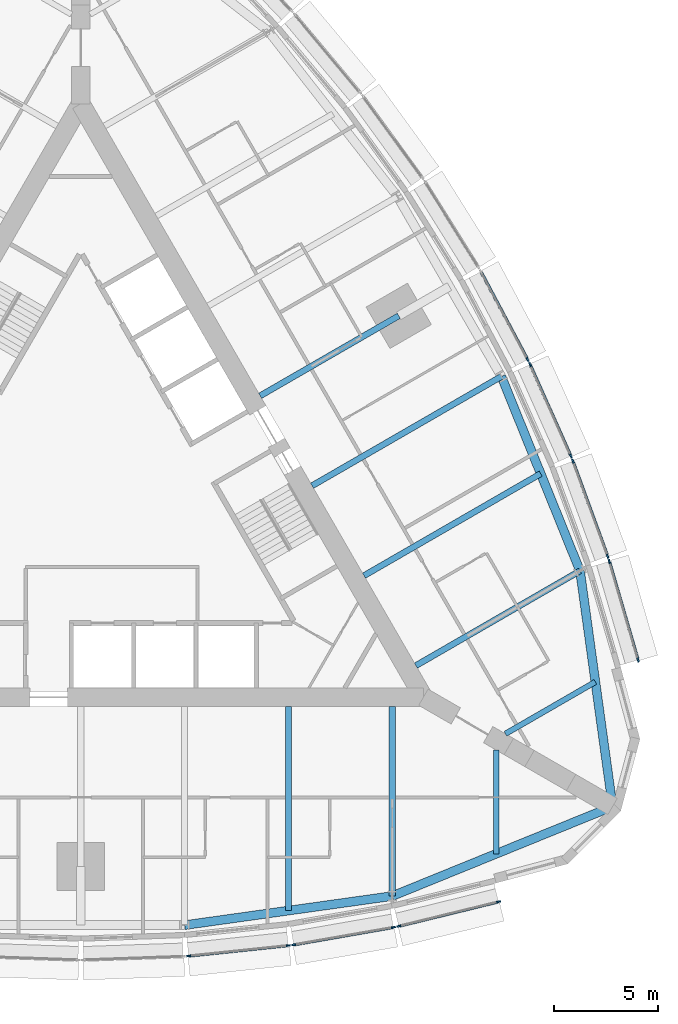
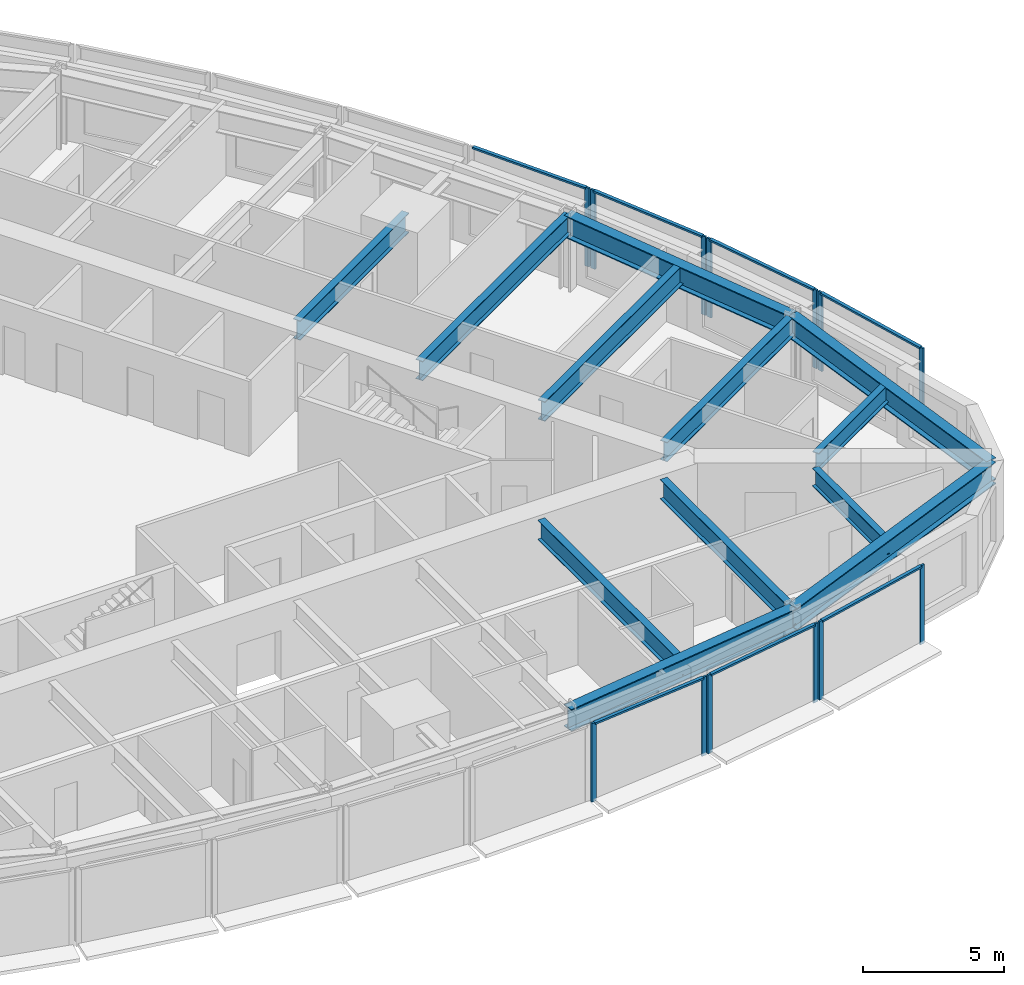
# One storey, part 3 of 14: 20 members, 12 beams, 7 elements without a shape of their own.
"""IFC4 building model written with IfcOpenShell, lengths in metres."""

from ifc_helpers import new_model, si_unit, direction, frame, origin, origin_2d, place, context, subcontext, project, spatial, rectangle, i_section, extrude, material, material_profile, profile_set, type_object, element, aggregate, save


model = new_model("IFC4")

# Units and contexts
model_context = context("Model", 3, precision=1e-05, world=origin(), true_north=direction((0.0, 1.0)))
body_context = subcontext(model_context, "Body", "Model", "MODEL_VIEW")
ifc_project = project(units=[si_unit("LENGTHUNIT", "METRE"), si_unit("AREAUNIT", "SQUARE_METRE"), si_unit("VOLUMEUNIT", "CUBIC_METRE"), si_unit("PLANEANGLEUNIT", "RADIAN"), si_unit("MASSUNIT", "GRAM", prefix="KILO")], contexts=[model_context])

# Site, building, storey
site_placement = place(None, origin())
site = spatial("IfcSite", under=ifc_project, at=site_placement, CompositionType="ELEMENT")
building_placement = place(site_placement, origin())
building = spatial("IfcBuilding", under=site, at=building_placement, Name="Trikona Tower", CompositionType="ELEMENT")
storey_placement = place(building_placement, frame((0.0, 0.0, 172.5)))
storey = spatial("IfcBuildingStorey", under=building, at=storey_placement, Name="L46", CompositionType="ELEMENT", Elevation=172.5)

# Curtain wall, members
ifc_material_1 = material(Name="Aluminium curtain wall system", Category="aluminium")
curtain_wall_type = type_object("IfcCurtainWallType", Name="Curtain wall DS2", PredefinedType="NOTDEFINED", material=ifc_material_1)
curtain_wall_1_placement = place(storey_placement, origin())
curtain_wall_1 = element("IfcCurtainWall", 1, at=curtain_wall_1_placement, inside=storey, type_object=curtain_wall_type, Name="Curtain wall DS2 L46", PredefinedType="NOTDEFINED")
ifc_material_2 = material(Name="Aluminium mullion, pale anodised", Category="aluminium")
ifc_material_profile_1 = material_profile(ifc_material_2, rectangle(XDim=0.080078125, YDim=0.199951171875, at=origin_2d()), Name="MUL-DS2")
ifc_profile_set_1 = profile_set([ifc_material_profile_1], Name="Aluminium mullion, pale anodised")
member_type_1 = type_object("IfcMemberType", Name="Mullion DS2 80x200", PredefinedType="MULLION", material=ifc_profile_set_1)
member_1_placement = place(storey_placement, frame((5.193359375, -21.98486328125, 0.0), z_axis=(0.0, 0.0, 1.0), x_axis=(-0.104433387357, 0.994531883654, 0.0)))
member_1 = element("IfcMember", 2, at=member_1_placement, type_object=member_type_1, Name="CW-DS2 mullion 1", PredefinedType="MULLION", context=body_context, shape_type="SweptSolid", body=[
    extrude(rectangle(XDim=0.080078125, YDim=0.199951171875, at=origin_2d()), origin(), (0.0, 0.0, 1.0), 3.39990234375),
])
member_2_placement = place(storey_placement, frame((9.99462890625, -21.480712890625, 0.0), z_axis=(0.0, 0.0, 1.0), x_axis=(-0.104433387357, 0.994531883654, 0.0)))
member_2 = element("IfcMember", 3, at=member_2_placement, type_object=member_type_1, Name="CW-DS2 mullion 2", PredefinedType="MULLION", context=body_context, shape_type="SweptSolid", body=[
    extrude(rectangle(XDim=0.080078125, YDim=0.199951171875, at=origin_2d()), origin(), (0.0, 0.0, 1.0), 3.39990234375),
])

curtain_wall_2_placement = place(storey_placement, origin())
curtain_wall_2 = element("IfcCurtainWall", 4, at=curtain_wall_2_placement, inside=storey, type_object=curtain_wall_type, Name="Curtain wall DS2 L46", PredefinedType="NOTDEFINED")
member_3_placement = place(storey_placement, frame((10.253662109375, -21.444580078125, 0.0), z_axis=(0.0, 0.0, 1.0), x_axis=(-0.17237739505, 0.985030981074, 0.0)))
member_3 = element("IfcMember", 5, at=member_3_placement, type_object=member_type_1, Name="CW-DS2 mullion 1", PredefinedType="MULLION", context=body_context, shape_type="SweptSolid", body=[
    extrude(rectangle(XDim=0.080078125, YDim=0.199951171875, at=origin_2d()), origin(), (0.0, 0.0, 1.0), 3.39990234375),
])
member_4_placement = place(storey_placement, frame((15.056640625, -20.60400390625, 0.0), z_axis=(0.0, 0.0, 1.0), x_axis=(-0.17237739505, 0.985030981074, 0.0)))
member_4 = element("IfcMember", 6, at=member_4_placement, type_object=member_type_1, Name="CW-DS2 mullion 2", PredefinedType="MULLION", context=body_context, shape_type="SweptSolid", body=[
    extrude(rectangle(XDim=0.080078125, YDim=0.199951171875, at=origin_2d()), origin(), (0.0, 0.0, 1.0), 3.39990234375),
])

curtain_wall_3_placement = place(storey_placement, origin())
curtain_wall_3 = element("IfcCurtainWall", 7, at=curtain_wall_3_placement, inside=storey, type_object=curtain_wall_type, Name="Curtain wall DS2 L46", PredefinedType="NOTDEFINED")
member_5_placement = place(storey_placement, frame((15.311279296875, -20.550537109375, 0.0), z_axis=(0.0, 0.0, 1.0), x_axis=(-0.237970204243, 0.971272455026, 0.0)))
member_5 = element("IfcMember", 8, at=member_5_placement, type_object=member_type_1, Name="CW-DS2 mullion 1", PredefinedType="MULLION", context=body_context, shape_type="SweptSolid", body=[
    extrude(rectangle(XDim=0.080078125, YDim=0.199951171875, at=origin_2d()), origin(), (0.0, 0.0, 1.0), 3.39990234375),
])
member_6_placement = place(storey_placement, frame((20.116943359375, -19.373046875, 0.0), z_axis=(0.0, 0.0, 1.0), x_axis=(-0.237970204243, 0.971272455026, 0.0)))
member_6 = element("IfcMember", 9, at=member_6_placement, type_object=member_type_1, Name="CW-DS2 mullion 2", PredefinedType="MULLION", context=body_context, shape_type="SweptSolid", body=[
    extrude(rectangle(XDim=0.080078125, YDim=0.199951171875, at=origin_2d()), origin(), (0.0, 0.0, 1.0), 3.39990234375),
])

curtain_wall_4_placement = place(storey_placement, origin())
curtain_wall_4 = element("IfcCurtainWall", 10, at=curtain_wall_4_placement, inside=storey, type_object=curtain_wall_type, Name="Curtain wall DS2 L46", PredefinedType="NOTDEFINED")
member_7_placement = place(storey_placement, frame((26.836181640625, -7.7353515625, 0.0), z_axis=(0.0, 0.0, 1.0), x_axis=(-0.96013310152, -0.279543247757, 0.0)))
member_7 = element("IfcMember", 11, at=member_7_placement, type_object=member_type_1, Name="CW-DS2 mullion 1", PredefinedType="MULLION", context=body_context, shape_type="SweptSolid", body=[
    extrude(rectangle(XDim=0.080078125, YDim=0.199951171875, at=origin_2d()), origin(), (0.0, 0.0, 1.0), 3.39990234375),
])
member_8_placement = place(storey_placement, frame((25.452880859375, -2.984619140625, 0.0), z_axis=(0.0, 0.0, 1.0), x_axis=(-0.96013310152, -0.279543247757, 0.0)))
member_8 = element("IfcMember", 12, at=member_8_placement, type_object=member_type_1, Name="CW-DS2 mullion 2", PredefinedType="MULLION", context=body_context, shape_type="SweptSolid", body=[
    extrude(rectangle(XDim=0.080078125, YDim=0.199951171875, at=origin_2d()), origin(), (0.0, 0.0, 1.0), 3.39990234375),
])

curtain_wall_5_placement = place(storey_placement, origin())
curtain_wall_5 = element("IfcCurtainWall", 13, at=curtain_wall_5_placement, inside=storey, type_object=curtain_wall_type, Name="Curtain wall DS2 L46", PredefinedType="NOTDEFINED")
member_9_placement = place(storey_placement, frame((25.371826171875, -2.737548828125, 0.0), z_axis=(0.0, 0.0, 1.0), x_axis=(-0.939253790978, -0.343223420143, 0.0)))
member_9 = element("IfcMember", 14, at=member_9_placement, type_object=member_type_1, Name="CW-DS2 mullion 1", PredefinedType="MULLION", context=body_context, shape_type="SweptSolid", body=[
    extrude(rectangle(XDim=0.080078125, YDim=0.199951171875, at=origin_2d()), origin(), (0.0, 0.0, 1.0), 3.39990234375),
])
member_10_placement = place(storey_placement, frame((23.6982421875, 1.84228515625, 0.0), z_axis=(0.0, 0.0, 1.0), x_axis=(-0.939253790978, -0.343223420143, 0.0)))
member_10 = element("IfcMember", 15, at=member_10_placement, type_object=member_type_1, Name="CW-DS2 mullion 2", PredefinedType="MULLION", context=body_context, shape_type="SweptSolid", body=[
    extrude(rectangle(XDim=0.080078125, YDim=0.199951171875, at=origin_2d()), origin(), (0.0, 0.0, 1.0), 3.39990234375),
])

curtain_wall_6_placement = place(storey_placement, origin())
curtain_wall_6 = element("IfcCurtainWall", 16, at=curtain_wall_6_placement, inside=storey, type_object=curtain_wall_type, Name="Curtain wall DS2 L46", PredefinedType="NOTDEFINED")
member_11_placement = place(storey_placement, frame((23.60009765625, 2.0849609375, 0.0), z_axis=(0.0, 0.0, 1.0), x_axis=(-0.913501208767, -0.406836013132, 0.0)))
member_11 = element("IfcMember", 17, at=member_11_placement, type_object=member_type_1, Name="CW-DS2 mullion 1", PredefinedType="MULLION", context=body_context, shape_type="SweptSolid", body=[
    extrude(rectangle(XDim=0.080078125, YDim=0.199951171875, at=origin_2d()), origin(), (0.0, 0.0, 1.0), 3.39990234375),
])
member_12_placement = place(storey_placement, frame((21.63623046875, 6.494873046875, 0.0), z_axis=(0.0, 0.0, 1.0), x_axis=(-0.913501208767, -0.406836013132, 0.0)))
member_12 = element("IfcMember", 18, at=member_12_placement, type_object=member_type_1, Name="CW-DS2 mullion 2", PredefinedType="MULLION", context=body_context, shape_type="SweptSolid", body=[
    extrude(rectangle(XDim=0.080078125, YDim=0.199951171875, at=origin_2d()), origin(), (0.0, 0.0, 1.0), 3.39990234375),
])

# Curtain wall, member
curtain_wall_7_placement = place(storey_placement, origin())
curtain_wall_7 = element("IfcCurtainWall", 19, at=curtain_wall_7_placement, inside=storey, type_object=curtain_wall_type, Name="Curtain wall DS2 L46", PredefinedType="NOTDEFINED")
member_13_placement = place(storey_placement, frame((21.52099609375, 6.730712890625, 0.0), z_axis=(0.0, 0.0, 1.0), x_axis=(-0.882996107343, -0.469380308937, 0.0)))
member_13 = element("IfcMember", 20, at=member_13_placement, type_object=member_type_1, Name="CW-DS2 mullion 1", PredefinedType="MULLION", context=body_context, shape_type="SweptSolid", body=[
    extrude(rectangle(XDim=0.080078125, YDim=0.199951171875, at=origin_2d()), origin(), (0.0, 0.0, 1.0), 3.39990234375),
])

# Beams
ifc_material_3 = material(Name="Steel ASTM A992 Grade 50", Category="steel")
ifc_material_profile_2 = material_profile(ifc_material_3, i_section(OverallWidth=0.2666015625, OverallDepth=0.76953125, WebThickness=0.015625, FlangeThickness=0.025390625, at=origin_2d()), Name="W30X132")
ifc_profile_set_2 = profile_set([ifc_material_profile_2], Name="Steel ASTM A992 Grade 50")
beam_type_1 = type_object("IfcBeamType", Name="Steel beam W30x132 (wedge)", PredefinedType="BEAM", material=ifc_profile_set_2)
beam_1_placement = place(storey_placement, frame((20.0, -12.066650390625, 2.85009765625), z_axis=(0.0, -1.0, 0.0), x_axis=(1.0, 0.0, 0.0)))
element("IfcBeam", 21, at=beam_1_placement, inside=storey, type_object=beam_type_1, Name="Floor beam L47 F1 u20", PredefinedType="BEAM", context=body_context, shape_type="SweptSolid", body=[
    extrude(i_section(OverallWidth=0.2666015625, OverallDepth=0.76953125, WebThickness=0.015625, FlangeThickness=0.025390625, at=origin_2d()), origin(), (0.0, 0.0, 1.0), 5.00048828125),
])
beam_2_placement = place(storey_placement, frame((20.449951171875, -11.287109375, 2.85009765625), z_axis=(0.866038434829, 0.49997742889, 0.0), x_axis=(-0.49997742889, 0.866038434829, 0.0)))
element("IfcBeam", 22, at=beam_2_placement, inside=storey, type_object=beam_type_1, Name="Floor beam L47 F2 u-20", PredefinedType="BEAM", context=body_context, shape_type="SweptSolid", body=[
    extrude(i_section(OverallWidth=0.2666015625, OverallDepth=0.76953125, WebThickness=0.015625, FlangeThickness=0.025390625, at=origin_2d()), origin(), (0.0, 0.0, 1.0), 5.000732421875),
])
ifc_material_4 = material(Name="Steel ASTM A992 Grade 50", Category="steel")
ifc_material_profile_3 = material_profile(ifc_material_4, i_section(OverallWidth=0.2919921875, OverallDepth=0.845703125, WebThickness=0.015380859375, FlangeThickness=0.0244140625, at=origin_2d()), Name="W33X141")
ifc_profile_set_3 = profile_set([ifc_material_profile_3], Name="Steel ASTM A992 Grade 50")
beam_type_2 = type_object("IfcBeamType", Name="Steel beam W33x141 (radial typ)", PredefinedType="BEAM", material=ifc_profile_set_3)
beam_3_placement = place(storey_placement, frame((10.0, -9.976318359375, 2.81201171875), z_axis=(0.0, -1.0, 0.0), x_axis=(1.0, 0.0, 0.0)))
element("IfcBeam", 23, at=beam_3_placement, inside=storey, type_object=beam_type_2, Name="Floor beam L47 F1 u10", PredefinedType="BEAM", context=body_context, shape_type="SweptSolid", body=[
    extrude(i_section(OverallWidth=0.2919921875, OverallDepth=0.845703125, WebThickness=0.015380859375, FlangeThickness=0.0244140625, at=origin_2d()), origin(), (0.0, 0.0, 1.0), 9.823974609375),
])
beam_4_placement = place(storey_placement, frame((15.0, -9.976318359375, 2.81201171875), z_axis=(0.0, -1.0, 0.0), x_axis=(1.0, 0.0, 0.0)))
element("IfcBeam", 24, at=beam_4_placement, inside=storey, type_object=beam_type_2, Name="Floor beam L47 F1 u15", PredefinedType="BEAM", context=body_context, shape_type="SweptSolid", body=[
    extrude(i_section(OverallWidth=0.2919921875, OverallDepth=0.845703125, WebThickness=0.015380859375, FlangeThickness=0.0244140625, at=origin_2d()), origin(), (0.0, 0.0, 1.0), 9.123779296875),
])
beam_5_placement = place(storey_placement, frame((16.1396484375, -8.002197265625, 2.81201171875), z_axis=(0.866024725532, 0.500001174766, 0.0), x_axis=(-0.500001174766, 0.866024725532, 0.0)))
element("IfcBeam", 25, at=beam_5_placement, inside=storey, type_object=beam_type_2, Name="Floor beam L47 F2 u-15", PredefinedType="BEAM", context=body_context, shape_type="SweptSolid", body=[
    extrude(i_section(OverallWidth=0.2919921875, OverallDepth=0.845703125, WebThickness=0.015380859375, FlangeThickness=0.0244140625, at=origin_2d()), origin(), (0.0, 0.0, 1.0), 9.1240234375),
])
beam_6_placement = place(storey_placement, frame((13.6396484375, -3.672119140625, 2.81201171875), z_axis=(0.866020046725, 0.500009278584, 0.0), x_axis=(-0.500009278584, 0.866020046725, 0.0)))
element("IfcBeam", 26, at=beam_6_placement, inside=storey, type_object=beam_type_2, Name="Floor beam L47 F2 u-10", PredefinedType="BEAM", context=body_context, shape_type="SweptSolid", body=[
    extrude(i_section(OverallWidth=0.2919921875, OverallDepth=0.845703125, WebThickness=0.015380859375, FlangeThickness=0.0244140625, at=origin_2d()), origin(), (0.0, 0.0, 1.0), 9.823974609375),
])
beam_7_placement = place(storey_placement, frame((11.1396484375, 0.657958984375, 2.81201171875), z_axis=(0.866026035623, 0.499998905622, 0.0), x_axis=(-0.499998905622, 0.866026035623, 0.0)))
element("IfcBeam", 27, at=beam_7_placement, inside=storey, type_object=beam_type_2, Name="Floor beam L47 F2 u-5", PredefinedType="BEAM", context=body_context, shape_type="SweptSolid", body=[
    extrude(i_section(OverallWidth=0.2919921875, OverallDepth=0.845703125, WebThickness=0.015380859375, FlangeThickness=0.0244140625, at=origin_2d()), origin(), (0.0, 0.0, 1.0), 10.52392578125),
])
beam_8_placement = place(storey_placement, frame((8.6396484375, 4.988037109375, 2.81201171875), z_axis=(0.866017246294, 0.500014128921, 0.0), x_axis=(-0.500014128921, 0.866017246294, 0.0)))
element("IfcBeam", 28, at=beam_8_placement, inside=storey, type_object=beam_type_2, Name="Floor beam L47 F2 u0", PredefinedType="BEAM", context=body_context, shape_type="SweptSolid", body=[
    extrude(i_section(OverallWidth=0.2919921875, OverallDepth=0.845703125, WebThickness=0.015380859375, FlangeThickness=0.0244140625, at=origin_2d()), origin(), (0.0, 0.0, 1.0), 7.704345703125),
])
ifc_material_5 = material(Name="Steel ASTM A992 Grade 50", Category="steel")
ifc_material_profile_4 = material_profile(ifc_material_5, i_section(OverallWidth=0.424072265625, OverallDepth=0.947509765625, WebThickness=0.02392578125, FlangeThickness=0.042724609375, at=origin_2d()), Name="W36X302")
ifc_profile_set_4 = profile_set([ifc_material_profile_4], Name="Steel ASTM A992 Grade 50")
beam_type_3 = type_object("IfcBeamType", Name="Steel beam W36x302 (spandrel)", PredefinedType="SPANDREL", material=ifc_profile_set_4)
beam_9_placement = place(storey_placement, frame((5.0, -20.500244140625, 2.76123046875), z_axis=(0.990339754644, 0.13866207258, 0.0), x_axis=(-0.13866207258, 0.990339754644, 0.0)))
element("IfcBeam", 29, at=beam_9_placement, inside=storey, type_object=beam_type_3, Name="Spandrel beam L47 F1-4", PredefinedType="SPANDREL", context=body_context, shape_type="SweptSolid", body=[
    extrude(i_section(OverallWidth=0.424072265625, OverallDepth=0.947509765625, WebThickness=0.02392578125, FlangeThickness=0.042724609375, at=origin_2d()), origin(), (0.0, 0.0, 1.0), 10.09765625),
])
for number, where, z_axis, x_axis, name in (
    (30, (15.0, -19.10009765625, 2.76123046875), (0.926359695662, 0.376640032728, 0.0), (-0.376640032728, 0.926359695662, 0.0), "Spandrel beam L47 F1-5"),
    (31, (25.6103515625, -14.7861328125, 2.76123046875), (-0.136991535842, 0.990572218017, 0.0), (-0.990572218017, -0.136991535842, 0.0), "Spandrel beam L47 F2-1"),
):
    element("IfcBeam", number, at=place(storey_placement, frame(where, z_axis=z_axis, x_axis=x_axis)), inside=storey, type_object=beam_type_3, Name=name, PredefinedType="SPANDREL", context=body_context, shape_type="SweptSolid", body=[
        extrude(i_section(OverallWidth=0.424072265625, OverallDepth=0.947509765625, WebThickness=0.02392578125, FlangeThickness=0.042724609375, at=origin_2d()), origin(), (0.0, 0.0, 1.0), 11.453857421875),
    ])
beam_10_placement = place(storey_placement, frame((24.041259765625, -3.440185546875, 2.76123046875), z_axis=(-0.375106193787, 0.926981846307, 0.0), x_axis=(-0.926981846307, -0.375106193787, 0.0)))
element("IfcBeam", 32, at=beam_10_placement, inside=storey, type_object=beam_type_3, Name="Spandrel beam L47 F2-2", PredefinedType="SPANDREL", context=body_context, shape_type="SweptSolid", body=[
    extrude(i_section(OverallWidth=0.424072265625, OverallDepth=0.947509765625, WebThickness=0.02392578125, FlangeThickness=0.042724609375, at=origin_2d()), origin(), (0.0, 0.0, 1.0), 10.097412109375),
])

# Member
ifc_material_6 = material(Name="Aluminium transom, pale anodised", Category="aluminium")
ifc_material_profile_5 = material_profile(ifc_material_6, rectangle(XDim=0.139892578125, YDim=0.080078125, at=origin_2d()), Name="TRN-DS2")
ifc_profile_set_5 = profile_set([ifc_material_profile_5], Name="Aluminium transom, pale anodised")
member_type_2 = type_object("IfcMemberType", Name="Transom DS2 80x140", PredefinedType="USERDEFINED", material=ifc_profile_set_5)
member_14_placement = place(storey_placement, frame((5.233154296875, -21.980712890625, 3.360107421875), z_axis=(0.99453106441, 0.104441188822, 0.0), x_axis=(-0.104441188822, 0.99453106441, 0.0)))
member_14 = element("IfcMember", 33, at=member_14_placement, type_object=member_type_2, Name="CW-DS2 transom 1.1", ObjectType="TRANSOM", PredefinedType="USERDEFINED", context=body_context, shape_type="SweptSolid", body=[
    extrude(rectangle(XDim=0.139892578125, YDim=0.080078125, at=origin_2d()), origin(), (0.0, 0.0, 1.0), 4.74755859375),
])

aggregate(curtain_wall_1, [member_1, member_2, member_14])

member_15_placement = place(storey_placement, frame((10.29296875, -21.4375, 3.360107421875), z_axis=(0.98503262804, 0.172367983387, 0.0), x_axis=(-0.172367983387, 0.98503262804, 0.0)))
member_15 = element("IfcMember", 34, at=member_15_placement, type_object=member_type_2, Name="CW-DS2 transom 1.1", ObjectType="TRANSOM", PredefinedType="USERDEFINED", context=body_context, shape_type="SweptSolid", body=[
    extrude(rectangle(XDim=0.139892578125, YDim=0.080078125, at=origin_2d()), origin(), (0.0, 0.0, 1.0), 4.7958984375),
])

aggregate(curtain_wall_2, [member_3, member_4, member_15])

member_16_placement = place(storey_placement, frame((15.35009765625, -20.541015625, 3.360107421875), z_axis=(0.971270583303, 0.237977843528, 0.0), x_axis=(-0.237977843528, 0.971270583303, 0.0)))
member_16 = element("IfcMember", 35, at=member_16_placement, type_object=member_type_2, Name="CW-DS2 transom 1.1", ObjectType="TRANSOM", PredefinedType="USERDEFINED", context=body_context, shape_type="SweptSolid", body=[
    extrude(rectangle(XDim=0.139892578125, YDim=0.080078125, at=origin_2d()), origin(), (0.0, 0.0, 1.0), 4.867919921875),
])

aggregate(curtain_wall_3, [member_5, member_6, member_16])

member_17_placement = place(storey_placement, frame((26.824951171875, -7.69677734375, 3.360107421875), z_axis=(-0.279566628153, 0.960126293996, 0.0), x_axis=(-0.960126293996, -0.279566628153, 0.0)))
member_17 = element("IfcMember", 36, at=member_17_placement, type_object=member_type_2, Name="CW-DS2 transom 1.1", ObjectType="TRANSOM", PredefinedType="USERDEFINED", context=body_context, shape_type="SweptSolid", body=[
    extrude(rectangle(XDim=0.139892578125, YDim=0.080078125, at=origin_2d()), origin(), (0.0, 0.0, 1.0), 4.86767578125),
])

aggregate(curtain_wall_4, [member_7, member_8, member_17])

member_18_placement = place(storey_placement, frame((25.358154296875, -2.699951171875, 3.360107421875), z_axis=(-0.343205907674, 0.939260190223, 0.0), x_axis=(-0.939260190223, -0.343205907674, 0.0)))
member_18 = element("IfcMember", 37, at=member_18_placement, type_object=member_type_2, Name="CW-DS2 transom 1.1", ObjectType="TRANSOM", PredefinedType="USERDEFINED", context=body_context, shape_type="SweptSolid", body=[
    extrude(rectangle(XDim=0.139892578125, YDim=0.080078125, at=origin_2d()), origin(), (0.0, 0.0, 1.0), 4.7958984375),
])

aggregate(curtain_wall_5, [member_9, member_10, member_18])

member_19_placement = place(storey_placement, frame((23.583740234375, 2.12158203125, 3.360107421875), z_axis=(-0.406839769607, 0.913499535778, 0.0), x_axis=(-0.913499535778, -0.406839769607, 0.0)))
member_19 = element("IfcMember", 38, at=member_19_placement, type_object=member_type_2, Name="CW-DS2 transom 1.1", ObjectType="TRANSOM", PredefinedType="USERDEFINED", context=body_context, shape_type="SweptSolid", body=[
    extrude(rectangle(XDim=0.139892578125, YDim=0.080078125, at=origin_2d()), origin(), (0.0, 0.0, 1.0), 4.747314453125),
])

aggregate(curtain_wall_6, [member_11, member_12, member_19])

member_20_placement = place(storey_placement, frame((21.502197265625, 6.76611328125, 3.360107421875), z_axis=(-0.469364343408, 0.883004594063, 0.0), x_axis=(-0.883004594063, -0.469364343408, 0.0)))
member_20 = element("IfcMember", 39, at=member_20_placement, type_object=member_type_2, Name="CW-DS2 transom 1.1", ObjectType="TRANSOM", PredefinedType="USERDEFINED", context=body_context, shape_type="SweptSolid", body=[
    extrude(rectangle(XDim=0.139892578125, YDim=0.080078125, at=origin_2d()), origin(), (0.0, 0.0, 1.0), 4.722900390625),
])

aggregate(curtain_wall_7, [member_13, member_20])

save(model, "model.ifc")
